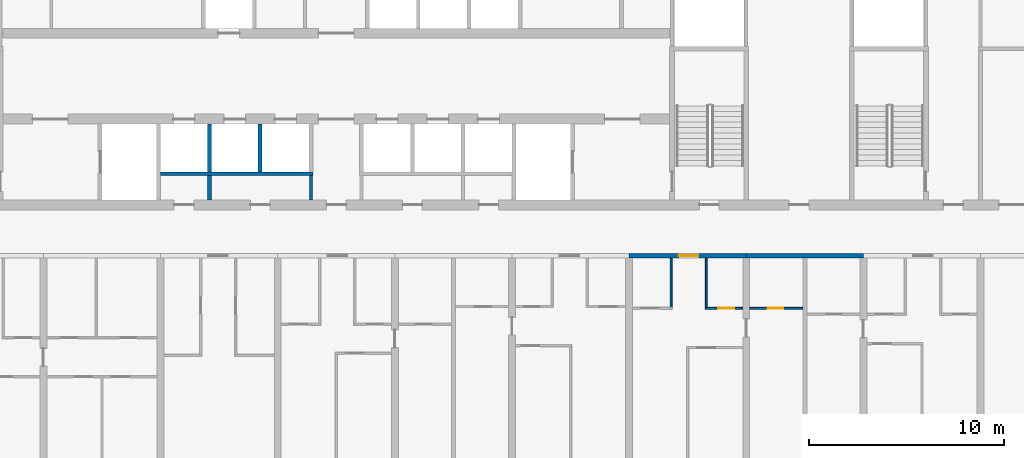
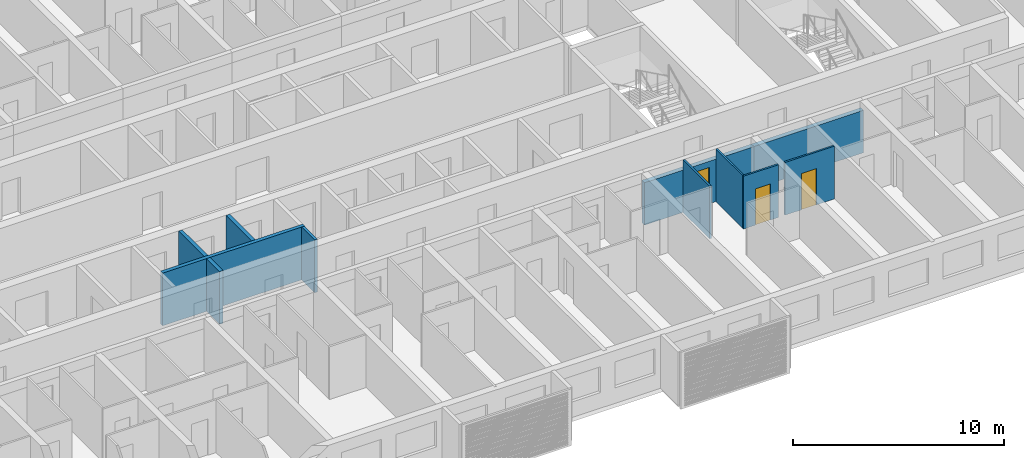
# One storey, part 6 of 24: 11 walls, 3 doors, 3 openings.
"""IFC4 building model written with IfcOpenShell, lengths in metres."""

from ifc_helpers import new_model, si_unit, direction, frame, frame_2d, origin, place, context, subcontext, project, spatial, rectangle, extrude, material, layer, layer_set, type_object, element, fill, save


model = new_model("IFC4")

# Units and contexts
model_context = context("Model", 3, precision=1e-05, world=origin(), true_north=direction((0.0, 1.0)))
body_context = subcontext(model_context, "Body", "Model", "MODEL_VIEW")
ifc_project = project(units=[si_unit("LENGTHUNIT", "METRE"), si_unit("AREAUNIT", "SQUARE_METRE"), si_unit("VOLUMEUNIT", "CUBIC_METRE"), si_unit("PLANEANGLEUNIT", "RADIAN"), si_unit("MASSUNIT", "GRAM", prefix="KILO")], contexts=[model_context])

# Site, building, storey
site_placement = place(None, origin())
site = spatial("IfcSite", under=ifc_project, at=site_placement, CompositionType="ELEMENT")
building_placement = place(site_placement, origin())
building = spatial("IfcBuilding", under=site, at=building_placement, Name="Poui Terraces", CompositionType="ELEMENT")
storey_placement = place(building_placement, frame((0.0, 0.0, 109.199951171875)))
storey = spatial("IfcBuildingStorey", under=building, at=storey_placement, Name="L30", CompositionType="ELEMENT", Elevation=109.199951171875)

# Wall
ifc_material_1 = material(Name="Fire-rated plasterboard wall")
ifc_layer_1 = layer(ifc_material_1, 0.14990234375)
ifc_layer_set_1 = layer_set([ifc_layer_1], Name="Fire-rated plasterboard wall")
wall_type_1 = type_object("IfcWallType", Name="CORRIDOR WALL 150", PredefinedType="PARTITIONING", material=ifc_layer_set_1)
wall_1_placement = place(storey_placement, frame((49.699951171875, 14.860107421875, 0.0), z_axis=(0.0, 0.0, 1.0), x_axis=(0.0, 1.0, 0.0)))
element("IfcWall", 1, at=wall_1_placement, inside=storey, type_object=wall_type_1, Name="CORRIDOR WALL 150", PredefinedType="PARTITIONING", context=body_context, shape_type="SweptSolid", body=[
    extrude(rectangle(XDim=1.239990234375, YDim=0.14990234375, at=frame_2d((0.6201171875, 0.0))), origin(), (0.0, 0.0, 1.0), 3.06005859375),
])

# Wall, opening, door
ifc_material_2 = material(Name="Concrete 65 MPa", Category="concrete")
ifc_layer_2 = layer(ifc_material_2, 0.25)
ifc_layer_set_2 = layer_set([ifc_layer_2], Name="Concrete 65 MPa")
wall_type_2 = type_object("IfcWallType", Name="CORRIDOR WALL 250 65MPa", PredefinedType="SHEAR", material=ifc_layer_set_2)
wall_2_placement = place(storey_placement, frame((66.0, 12.0, 0.0), z_axis=(0.0, 0.0, 1.0), x_axis=(1.0, 0.0, 0.0)))
wall_2 = element("IfcWall", 2, at=wall_2_placement, inside=storey, type_object=wall_type_2, Name="CORRIDOR WALL LINE B BAY 10", PredefinedType="SHEAR", context=body_context, shape_type="SweptSolid", body=[
    extrude(rectangle(XDim=6.0, YDim=0.25, at=frame_2d((3.0, 0.0))), origin(), (0.0, 0.0, 1.0), 2.4599609375),
])
opening_1_placement = place(wall_2_placement, frame((2.550048828125, 0.0, 0.0)))
opening_1 = element("IfcOpeningElement", 3, at=opening_1_placement, cuts=wall_2, Name="Opening FD30S", PredefinedType="OPENING", context=body_context, shape_type="SweptSolid", body=[
    extrude(rectangle(XDim=1.0, YDim=2.10009765625, at=frame_2d((0.5, 1.050048828125))), frame((0.0, 0.135009765625, 0.0), z_axis=(0.0, -1.0, 0.0), x_axis=(1.0, 0.0, 0.0)), (0.0, 0.0, 1.0), 0.27001953125),
])
ifc_material_3 = material(Name="Steel fire door", Category="steel")
door_type_1 = type_object("IfcDoorType", Name="FLAT ENTRANCE DOOR 1000 X 2100", OperationType="NOTDEFINED", PredefinedType="DOOR", material=ifc_material_3)
door_1_placement = place(opening_1_placement, frame((1.0, 0.0, 0.0), z_axis=(0.0, 0.0, 1.0), x_axis=(-1.0, 0.0, 0.0)))
door_1 = element("IfcDoor", 4, at=door_1_placement, inside=storey, type_object=door_type_1, Name="FLAT ENTRANCE DOOR 109", OperationType="SINGLE_SWING_LEFT", OverallHeight=2.10009765625, OverallWidth=1.0, PredefinedType="DOOR", context=body_context, shape_type="SweptSolid", body=[
    extrude(rectangle(XDim=1.0, YDim=2.10009765625, at=frame_2d((0.5, 1.050048828125))), frame((0.0, 0.02490234375, 0.0), z_axis=(0.0, -1.0, 0.0), x_axis=(1.0, 0.0, 0.0)), (0.0, 0.0, 1.0), 0.050048828125),
])
fill(opening_1, door_1)

# Wall
wall_3_placement = place(storey_placement, frame((72.0, 12.0, 0.0), z_axis=(0.0, 0.0, 1.0), x_axis=(1.0, 0.0, 0.0)))
element("IfcWall", 5, at=wall_3_placement, inside=storey, type_object=wall_type_2, Name="CORRIDOR WALL LINE B BAY 11", PredefinedType="SHEAR", context=body_context, shape_type="SweptSolid", body=[
    extrude(rectangle(XDim=6.0, YDim=0.25, at=frame_2d((3.0, 0.0))), origin(), (0.0, 0.0, 1.0), 2.4599609375),
])

# Wall, opening, door
ifc_material_4 = material(Name="Plasterboard partition")
ifc_layer_3 = layer(ifc_material_4, 0.10009765625)
ifc_layer_set_3 = layer_set([ifc_layer_3], Name="Plasterboard partition")
wall_type_3 = type_object("IfcWallType", Name="FLAT PARTITION 100", PredefinedType="PARTITIONING", material=ifc_layer_set_3)
wall_4_placement = place(storey_placement, frame((69.89990234375, 9.300048828125, 0.0), z_axis=(0.0, 0.0, 1.0), x_axis=(1.0, 0.0, 0.0)))
wall_4 = element("IfcWall", 6, at=wall_4_placement, inside=storey, type_object=wall_type_3, Name="FLAT PARTITION 100", PredefinedType="PARTITIONING", context=body_context, shape_type="SweptSolid", body=[
    extrude(rectangle(XDim=1.9150390625, YDim=0.10009765625, at=frame_2d((0.95751953125, 0.0))), origin(), (0.0, 0.0, 1.0), 3.06005859375),
])
opening_2_placement = place(wall_4_placement, frame((0.675048828125, 0.0, 0.0)))
opening_2 = element("IfcOpeningElement", 7, at=opening_2_placement, cuts=wall_4, Name="Opening D80", PredefinedType="OPENING", context=body_context, shape_type="SweptSolid", body=[
    extrude(rectangle(XDim=0.800048828125, YDim=2.10009765625, at=frame_2d((0.39990234375, 1.050048828125))), frame((0.0, 0.06005859375, 0.0), z_axis=(0.0, -1.0, 0.0), x_axis=(1.0, 0.0, 0.0)), (0.0, 0.0, 1.0), 0.1201171875),
])
ifc_material_5 = material(Name="Solid core timber door", Category="wood")
door_type_2 = type_object("IfcDoorType", Name="BATHROOM, LAUNDRY AND STORE DOOR 800 X 2100", OperationType="NOTDEFINED", PredefinedType="DOOR", material=ifc_material_5)
door_2_placement = place(opening_2_placement, origin())
door_2 = element("IfcDoor", 8, at=door_2_placement, inside=storey, type_object=door_type_2, Name="BATHROOM, LAUNDRY AND STORE DOOR 111", OperationType="SINGLE_SWING_LEFT", OverallHeight=2.10009765625, OverallWidth=0.800048828125, PredefinedType="DOOR", context=body_context, shape_type="SweptSolid", body=[
    extrude(rectangle(XDim=0.800048828125, YDim=2.10009765625, at=frame_2d((0.39990234375, 1.050048828125))), frame((0.0, 0.02490234375, 0.0), z_axis=(0.0, -1.0, 0.0), x_axis=(1.0, 0.0, 0.0)), (0.0, 0.0, 1.0), 0.050048828125),
])
fill(opening_2, door_2)

wall_5_placement = place(storey_placement, frame((72.18505859375, 9.300048828125, 0.0), z_axis=(0.0, 0.0, 1.0), x_axis=(1.0, 0.0, 0.0)))
wall_5 = element("IfcWall", 9, at=wall_5_placement, inside=storey, type_object=wall_type_3, Name="FLAT PARTITION 100", PredefinedType="PARTITIONING", context=body_context, shape_type="SweptSolid", body=[
    extrude(rectangle(XDim=2.71484375, YDim=0.10009765625, at=frame_2d((1.357421875, 0.0))), origin(), (0.0, 0.0, 1.0), 3.06005859375),
])
opening_3_placement = place(wall_5_placement, frame((0.9150390625, 0.0, 0.0)))
opening_3 = element("IfcOpeningElement", 10, at=opening_3_placement, cuts=wall_5, Name="Opening D80", PredefinedType="OPENING", context=body_context, shape_type="SweptSolid", body=[
    extrude(rectangle(XDim=0.800048828125, YDim=2.10009765625, at=frame_2d((0.39990234375, 1.050048828125))), frame((0.0, 0.06005859375, 0.0), z_axis=(0.0, -1.0, 0.0), x_axis=(1.0, 0.0, 0.0)), (0.0, 0.0, 1.0), 0.1201171875),
])
door_3_placement = place(opening_3_placement, origin())
door_3 = element("IfcDoor", 11, at=door_3_placement, inside=storey, type_object=door_type_2, Name="BATHROOM, LAUNDRY AND STORE DOOR 107", OperationType="SINGLE_SWING_RIGHT", OverallHeight=2.10009765625, OverallWidth=0.800048828125, PredefinedType="DOOR", context=body_context, shape_type="SweptSolid", body=[
    extrude(rectangle(XDim=0.800048828125, YDim=2.10009765625, at=frame_2d((0.39990234375, 1.050048828125))), frame((0.0, 0.02490234375, 0.0), z_axis=(0.0, -1.0, 0.0), x_axis=(1.0, 0.0, 0.0)), (0.0, 0.0, 1.0), 0.050048828125),
])
fill(opening_3, door_3)

# Walls
for number, where, z_axis, x_axis, name in (
    (12, (68.14990234375, 9.35009765625, 0.0), (0.0, 0.0, 1.0), (0.0, 1.0, 0.0), "FLAT PARTITION 100"),
    (13, (69.949951171875, 9.35009765625, 0.0), (0.0, 0.0, 1.0), (0.0, 1.0, 0.0), "FLAT PARTITION 100"),
):
    element("IfcWall", number, at=place(storey_placement, frame(where, z_axis=z_axis, x_axis=x_axis)), inside=storey, type_object=wall_type_3, Name=name, PredefinedType="PARTITIONING", context=body_context, shape_type="SweptSolid", body=[
        extrude(rectangle(XDim=2.514892578125, YDim=0.10009765625, at=frame_2d((1.25732421875, 0.0))), origin(), (0.0, 0.0, 1.0), 3.06005859375),
    ])
ifc_material_6 = material(Name="Fire-rated masonry wall", Category="masonry")
ifc_layer_4 = layer(ifc_material_6, 0.199951171875)
ifc_layer_set_4 = layer_set([ifc_layer_4], Name="Fire-rated masonry wall")
wall_type_4 = type_object("IfcWallType", Name="PLANT ROOM WALL 200", PredefinedType="PARTITIONING", material=ifc_layer_set_4)
wall_6_placement = place(storey_placement, frame((44.5, 14.860107421875, 0.0), z_axis=(0.0, 0.0, 1.0), x_axis=(0.0, 1.0, 0.0)))
element("IfcWall", 14, at=wall_6_placement, inside=storey, type_object=wall_type_4, Name="PLANT ROOM WALL 200", PredefinedType="PARTITIONING", context=body_context, shape_type="SweptSolid", body=[
    extrude(rectangle(XDim=1.239990234375, YDim=0.199951171875, at=frame_2d((0.6201171875, 0.0))), origin(), (0.0, 0.0, 1.0), 3.06005859375),
])
ifc_material_7 = material(Name="Fire-rated masonry shaft wall", Category="masonry")
ifc_layer_5 = layer(ifc_material_7, 0.199951171875)
ifc_layer_set_5 = layer_set([ifc_layer_5], Name="Fire-rated masonry shaft wall")
wall_type_5 = type_object("IfcWallType", Name="SHAFT WALL 200", PredefinedType="PARTITIONING", material=ifc_layer_set_5)
wall_7_placement = place(storey_placement, frame((42.0, 16.199951171875, 0.0), z_axis=(0.0, 0.0, 1.0), x_axis=(1.0, 0.0, 0.0)))
element("IfcWall", 15, at=wall_7_placement, inside=storey, type_object=wall_type_5, Name="SHAFT WALL 200", PredefinedType="PARTITIONING", context=body_context, shape_type="SweptSolid", body=[
    extrude(rectangle(XDim=7.800048828125, YDim=0.199951171875, at=frame_2d((3.89990234375, 0.0))), origin(), (0.0, 0.0, 1.0), 3.06005859375),
])
for number, where, z_axis, x_axis, name in (
    (16, (44.5, 16.300048828125, 0.0), (0.0, 0.0, 1.0), (0.0, 1.0, 0.0), "SHAFT WALL 200"),
    (17, (47.10009765625, 16.300048828125, 0.0), (0.0, 0.0, 1.0), (0.0, 1.0, 0.0), "SHAFT WALL 200"),
):
    element("IfcWall", number, at=place(storey_placement, frame(where, z_axis=z_axis, x_axis=x_axis)), inside=storey, type_object=wall_type_5, Name=name, PredefinedType="PARTITIONING", context=body_context, shape_type="SweptSolid", body=[
        extrude(rectangle(XDim=2.43994140625, YDim=0.199951171875, at=frame_2d((1.219970703125, 0.0))), origin(), (0.0, 0.0, 1.0), 3.06005859375),
    ])

save(model, "model.ifc")
